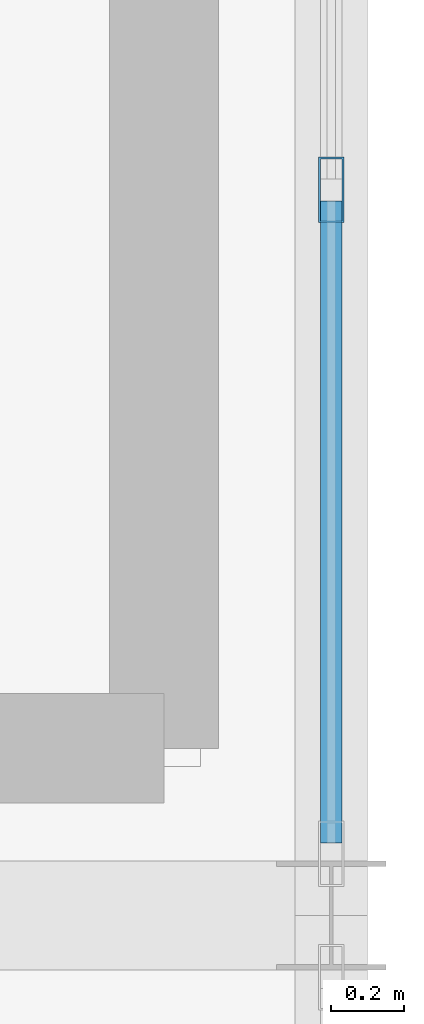
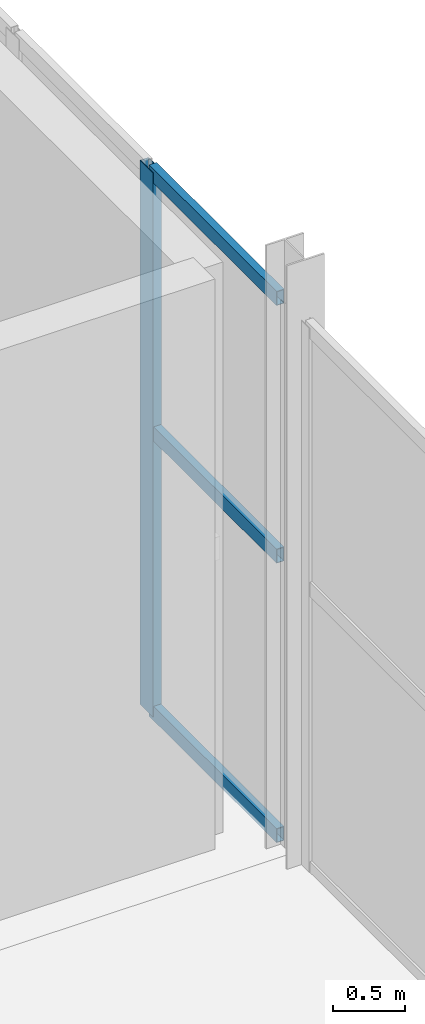
# One storey, part 137 of 218: 4 members, 1 element without a shape of its own.
"""IFC4 building model written with IfcOpenShell, lengths in metres."""

from ifc_helpers import new_model, si_unit, direction, frame, origin, origin_2d, place, context, subcontext, project, spatial, hollow_rectangle, extrude, material, material_profile, profile_set, type_object, element, aggregate, save


model = new_model("IFC4")

# Units and contexts
model_context = context("Model", 3, precision=1e-05, world=origin(), true_north=direction((0.0, 1.0)))
body_context = subcontext(model_context, "Body", "Model", "MODEL_VIEW")
ifc_project = project(units=[si_unit("LENGTHUNIT", "METRE"), si_unit("AREAUNIT", "SQUARE_METRE"), si_unit("VOLUMEUNIT", "CUBIC_METRE"), si_unit("PLANEANGLEUNIT", "RADIAN"), si_unit("MASSUNIT", "GRAM", prefix="KILO")], contexts=[model_context])

# Site, building, storey
site_placement = place(None, origin())
site = spatial("IfcSite", under=ifc_project, at=site_placement, CompositionType="ELEMENT")
building_placement = place(site_placement, origin())
building = spatial("IfcBuilding", under=site, at=building_placement, Name="Kazenagashi Tramway Depot", CompositionType="ELEMENT")
storey_placement = place(building_placement, frame((0.0, 0.0, 6.0)))
storey = spatial("IfcBuildingStorey", under=building, at=storey_placement, Name="L02", CompositionType="ELEMENT", Elevation=6.0)

# Curtain wall, members
ifc_material_1 = material(Name="Anodised Aluminium and Low-E Glazing", Category="aluminium")
curtain_wall_type = type_object("IfcCurtainWallType", Name="CW-23", PredefinedType="USERDEFINED", material=ifc_material_1)
curtain_wall_placement = place(storey_placement, origin())
curtain_wall = element("IfcCurtainWall", 1, at=curtain_wall_placement, inside=storey, type_object=curtain_wall_type, Name="Industrial Glazed Screen CW-23 CW-0133", ObjectType="GLAZED SCREEN", PredefinedType="USERDEFINED")
ifc_material_2 = material(Name="Anodised Aluminium", Category="aluminium")
ifc_material_profile_1 = material_profile(ifc_material_2, hollow_rectangle(XDim=0.07, YDim=0.18, WallThickness=0.005, at=origin_2d()), Name="RHS-180x70x5")
ifc_profile_set_1 = profile_set([ifc_material_profile_1], Name="Anodised Aluminium")
member_type_1 = type_object("IfcMemberType", Name="ML-02", PredefinedType="MULLION", material=ifc_profile_set_1)
member_1_placement = place(storey_placement, frame((196.0, 63.595, 0.0), z_axis=(0.0, 0.0, 1.0), x_axis=(-1.0, 0.0, 0.0)))
member_1 = element("IfcMember", 2, at=member_1_placement, type_object=member_type_1, Name="CW-23 mullion 2", PredefinedType="MULLION", context=body_context, shape_type="SweptSolid", body=[
    extrude(hollow_rectangle(XDim=0.07, YDim=0.18, WallThickness=0.005, at=origin_2d()), origin(), (0.0, 0.0, 1.0), 4.6),
])
ifc_material_profile_2 = material_profile(ifc_material_2, hollow_rectangle(XDim=0.06, YDim=0.12, WallThickness=0.004, at=origin_2d()), Name="RHS-120x60x4")
ifc_profile_set_2 = profile_set([ifc_material_profile_2], Name="Anodised Aluminium")
member_type_2 = type_object("IfcMemberType", Name="TR-01", PredefinedType="USERDEFINED", material=ifc_profile_set_2)
member_2_placement = place(storey_placement, frame((196.0, 61.8, 0.03), z_axis=(0.0, 1.0, 0.0), x_axis=(-1.0, 0.0, 0.0)))
member_2 = element("IfcMember", 3, at=member_2_placement, type_object=member_type_2, Name="CW-23 transom 1.1", ObjectType="TRANSOM", PredefinedType="USERDEFINED", context=body_context, shape_type="SweptSolid", body=[
    extrude(hollow_rectangle(XDim=0.06, YDim=0.12, WallThickness=0.004, at=origin_2d()), origin(), (0.0, 0.0, 1.0), 1.765),
])
member_3_placement = place(storey_placement, frame((196.0, 61.8, 2.392), z_axis=(0.0, 1.0, 0.0), x_axis=(-1.0, 0.0, 0.0)))
member_3 = element("IfcMember", 4, at=member_3_placement, type_object=member_type_2, Name="CW-23 transom 1.2", ObjectType="TRANSOM", PredefinedType="USERDEFINED", context=body_context, shape_type="SweptSolid", body=[
    extrude(hollow_rectangle(XDim=0.06, YDim=0.12, WallThickness=0.004, at=origin_2d()), origin(), (0.0, 0.0, 1.0), 1.765),
])
member_4_placement = place(storey_placement, frame((196.0, 61.8, 4.57), z_axis=(0.0, 1.0, 0.0), x_axis=(-1.0, 0.0, 0.0)))
member_4 = element("IfcMember", 5, at=member_4_placement, type_object=member_type_2, Name="CW-23 transom 1.3", ObjectType="TRANSOM", PredefinedType="USERDEFINED", context=body_context, shape_type="SweptSolid", body=[
    extrude(hollow_rectangle(XDim=0.06, YDim=0.12, WallThickness=0.004, at=origin_2d()), origin(), (0.0, 0.0, 1.0), 1.765),
])
aggregate(curtain_wall, [member_1, member_2, member_3, member_4])

save(model, "model.ifc")
